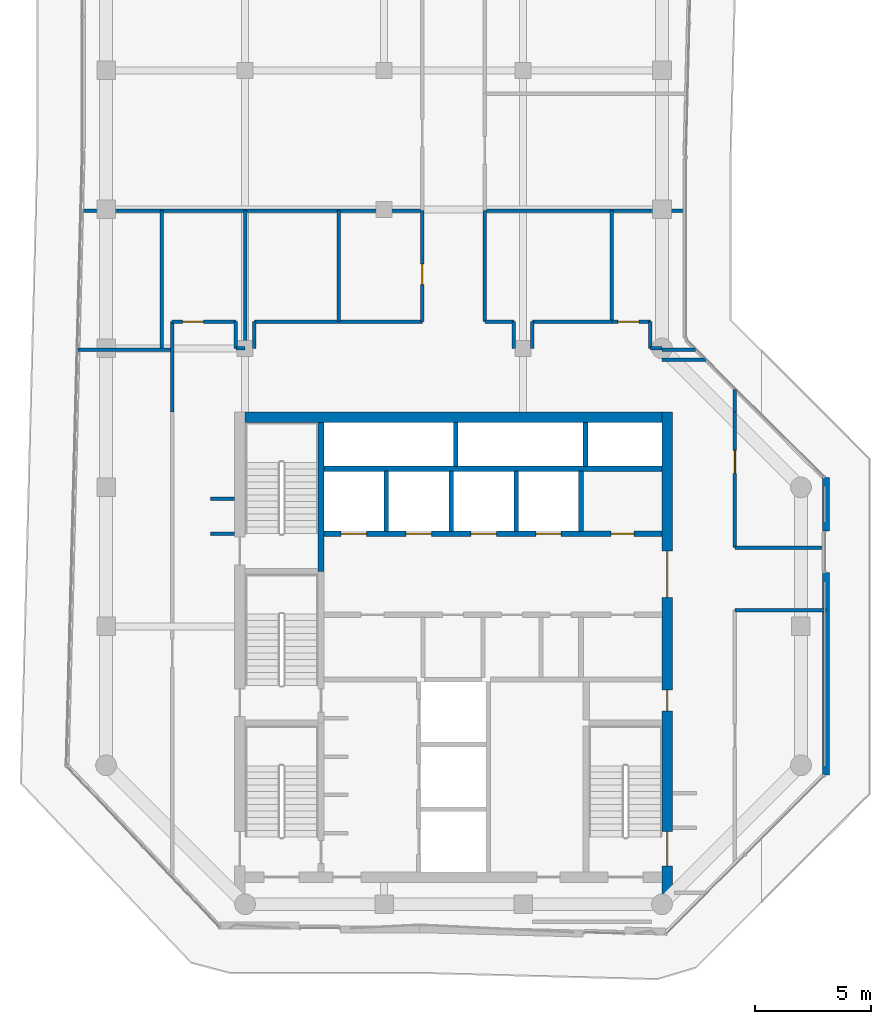
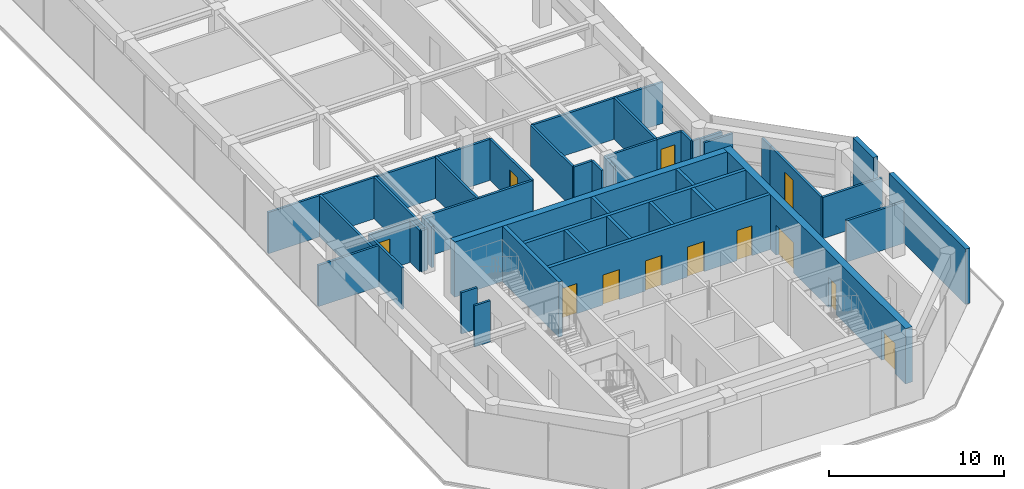
# One storey, part 16 of 19: 43 walls, 12 doors, 12 openings.
"""IFC4 building model written with IfcOpenShell, lengths in metres."""

from ifc_helpers import new_model, si_unit, direction, frame, frame_2d, origin, place, context, subcontext, project, spatial, rectangle, extrude, material, layer, layer_set, type_object, element, fill, save


model = new_model("IFC4")

# Units and contexts
model_context = context("Model", 3, precision=1e-05, world=origin(), true_north=direction((0.0, 1.0)))
body_context = subcontext(model_context, "Body", "Model", "MODEL_VIEW")
ifc_project = project(units=[si_unit("LENGTHUNIT", "METRE"), si_unit("AREAUNIT", "SQUARE_METRE"), si_unit("VOLUMEUNIT", "CUBIC_METRE"), si_unit("PLANEANGLEUNIT", "RADIAN"), si_unit("MASSUNIT", "GRAM", prefix="KILO")], contexts=[model_context])

# Site, building, storey
site_placement = place(None, origin())
site = spatial("IfcSite", under=ifc_project, at=site_placement, CompositionType="ELEMENT")
building_placement = place(site_placement, origin())
building = spatial("IfcBuilding", under=site, at=building_placement, Name="Welwitschia Terrace Campus", CompositionType="ELEMENT")
storey_placement = place(building_placement, frame((0.0, 0.0, 234.800048828125)))
storey = spatial("IfcBuildingStorey", under=building, at=storey_placement, Name="L52", CompositionType="ELEMENT", Elevation=234.800048828125)

# Wall, openings, doors
ifc_material_1 = material(Name="Concrete C32/40", Category="concrete")
ifc_layer_1 = layer(ifc_material_1, 0.22509765625)
ifc_layer_set_1 = layer_set([ifc_layer_1], Name="Concrete C32/40")
wall_type_1 = type_object("IfcWallType", Name="Core partition 225 Concrete C32/40", PredefinedType="PARTITIONING", material=ifc_layer_set_1)
wall_1_placement = place(storey_placement, frame((24.0, 20.0, 0.0), z_axis=(0.0, 0.0, 1.0), x_axis=(-1.0, 0.0, 0.0)))
wall_1 = element("IfcWall", 1, at=wall_1_placement, inside=storey, type_object=wall_type_1, Name="Shaft wall", PredefinedType="PARTITIONING", context=body_context, shape_type="SweptSolid", body=[
    extrude(rectangle(XDim=14.60009765625, YDim=0.22509765625, at=frame_2d((7.300048828125, 0.0))), origin(), (0.0, 0.0, 1.0), 3.849853515625),
])
opening_1_placement = place(wall_1_placement, frame((12.75, 0.0, 0.0)))
opening_1 = element("IfcOpeningElement", 2, at=opening_1_placement, cuts=wall_1, Name="Opening LD", PredefinedType="OPENING", context=body_context, shape_type="SweptSolid", body=[
    extrude(rectangle(XDim=1.10009765625, YDim=2.10009765625, at=frame_2d((0.550048828125, 1.050048828125))), frame((0.0, 0.12255859375, 0.0), z_axis=(0.0, -1.0, 0.0), x_axis=(1.0, 0.0, 0.0)), (0.0, 0.0, 1.0), 0.2451171875),
])
opening_2_placement = place(wall_1_placement, frame((9.949951171875, 0.0, 0.0)))
opening_2 = element("IfcOpeningElement", 3, at=opening_2_placement, cuts=wall_1, Name="Opening LD", PredefinedType="OPENING", context=body_context, shape_type="SweptSolid", body=[
    extrude(rectangle(XDim=1.10009765625, YDim=2.10009765625, at=frame_2d((0.550048828125, 1.050048828125))), frame((0.0, 0.12255859375, 0.0), z_axis=(0.0, -1.0, 0.0), x_axis=(1.0, 0.0, 0.0)), (0.0, 0.0, 1.0), 0.2451171875),
])
opening_3_placement = place(wall_1_placement, frame((7.14990234375, 0.0, 0.0)))
opening_3 = element("IfcOpeningElement", 4, at=opening_3_placement, cuts=wall_1, Name="Opening LD", PredefinedType="OPENING", context=body_context, shape_type="SweptSolid", body=[
    extrude(rectangle(XDim=1.10009765625, YDim=2.10009765625, at=frame_2d((0.550048828125, 1.050048828125))), frame((0.0, 0.12255859375, 0.0), z_axis=(0.0, -1.0, 0.0), x_axis=(1.0, 0.0, 0.0)), (0.0, 0.0, 1.0), 0.2451171875),
])
opening_4_placement = place(wall_1_placement, frame((4.35009765625, 0.0, 0.0)))
opening_4 = element("IfcOpeningElement", 5, at=opening_4_placement, cuts=wall_1, Name="Opening LD", PredefinedType="OPENING", context=body_context, shape_type="SweptSolid", body=[
    extrude(rectangle(XDim=1.10009765625, YDim=2.10009765625, at=frame_2d((0.550048828125, 1.050048828125))), frame((0.0, 0.12255859375, 0.0), z_axis=(0.0, -1.0, 0.0), x_axis=(1.0, 0.0, 0.0)), (0.0, 0.0, 1.0), 0.2451171875),
])
opening_5_placement = place(wall_1_placement, frame((1.199951171875, 0.0, 0.0)))
opening_5 = element("IfcOpeningElement", 6, at=opening_5_placement, cuts=wall_1, Name="Opening DR10", PredefinedType="OPENING", context=body_context, shape_type="SweptSolid", body=[
    extrude(rectangle(XDim=1.0, YDim=2.10009765625, at=frame_2d((0.5, 1.050048828125))), frame((0.0, 0.12255859375, 0.0), z_axis=(0.0, -1.0, 0.0), x_axis=(1.0, 0.0, 0.0)), (0.0, 0.0, 1.0), 0.2451171875),
])
ifc_material_2 = material(Name="Steel S275", Category="steel")
door_type_1 = type_object("IfcDoorType", Name="Core door DR10", OperationType="SINGLE_SWING_LEFT", PredefinedType="DOOR", material=ifc_material_2)
door_1_placement = place(opening_5_placement, origin())
door_1 = element("IfcDoor", 7, at=door_1_placement, inside=storey, type_object=door_type_1, Name="Door EH-D", OperationType="SINGLE_SWING_LEFT", OverallHeight=2.10009765625, OverallWidth=1.0, PredefinedType="DOOR", context=body_context, shape_type="SweptSolid", body=[
    extrude(rectangle(XDim=1.0, YDim=2.10009765625, at=frame_2d((0.5, 1.050048828125))), frame((0.0, 0.02490234375, 0.0), z_axis=(0.0, -1.0, 0.0), x_axis=(1.0, 0.0, 0.0)), (0.0, 0.0, 1.0), 0.050048828125),
])
fill(opening_5, door_1)
ifc_material_3 = material(Name="Stainless steel 304", Category="steel")
door_type_2 = type_object("IfcDoorType", Name="Lift landing door", OperationType="DOUBLE_DOOR_SLIDING", PredefinedType="DOOR", material=ifc_material_3)
door_2_placement = place(opening_1_placement, origin())
door_2 = element("IfcDoor", 8, at=door_2_placement, inside=storey, type_object=door_type_2, Name="Landing door HR1", OperationType="DOUBLE_DOOR_SLIDING", OverallHeight=2.10009765625, OverallWidth=1.10009765625, PredefinedType="DOOR", context=body_context, shape_type="SweptSolid", body=[
    extrude(rectangle(XDim=1.10009765625, YDim=2.10009765625, at=frame_2d((0.550048828125, 1.050048828125))), frame((0.0, 0.02490234375, 0.0), z_axis=(0.0, -1.0, 0.0), x_axis=(1.0, 0.0, 0.0)), (0.0, 0.0, 1.0), 0.050048828125),
])
fill(opening_1, door_2)
door_3_placement = place(opening_2_placement, origin())
door_3 = element("IfcDoor", 9, at=door_3_placement, inside=storey, type_object=door_type_2, Name="Landing door HR2", OperationType="DOUBLE_DOOR_SLIDING", OverallHeight=2.10009765625, OverallWidth=1.10009765625, PredefinedType="DOOR", context=body_context, shape_type="SweptSolid", body=[
    extrude(rectangle(XDim=1.10009765625, YDim=2.10009765625, at=frame_2d((0.550048828125, 1.050048828125))), frame((0.0, 0.02490234375, 0.0), z_axis=(0.0, -1.0, 0.0), x_axis=(1.0, 0.0, 0.0)), (0.0, 0.0, 1.0), 0.050048828125),
])
fill(opening_2, door_3)
door_4_placement = place(opening_3_placement, origin())
door_4 = element("IfcDoor", 10, at=door_4_placement, inside=storey, type_object=door_type_2, Name="Landing door HR3", OperationType="DOUBLE_DOOR_SLIDING", OverallHeight=2.10009765625, OverallWidth=1.10009765625, PredefinedType="DOOR", context=body_context, shape_type="SweptSolid", body=[
    extrude(rectangle(XDim=1.10009765625, YDim=2.10009765625, at=frame_2d((0.550048828125, 1.050048828125))), frame((0.0, 0.02490234375, 0.0), z_axis=(0.0, -1.0, 0.0), x_axis=(1.0, 0.0, 0.0)), (0.0, 0.0, 1.0), 0.050048828125),
])
fill(opening_3, door_4)
door_5_placement = place(opening_4_placement, origin())
door_5 = element("IfcDoor", 11, at=door_5_placement, inside=storey, type_object=door_type_2, Name="Landing door HR4", OperationType="DOUBLE_DOOR_SLIDING", OverallHeight=2.10009765625, OverallWidth=1.10009765625, PredefinedType="DOOR", context=body_context, shape_type="SweptSolid", body=[
    extrude(rectangle(XDim=1.10009765625, YDim=2.10009765625, at=frame_2d((0.550048828125, 1.050048828125))), frame((0.0, 0.02490234375, 0.0), z_axis=(0.0, -1.0, 0.0), x_axis=(1.0, 0.0, 0.0)), (0.0, 0.0, 1.0), 0.050048828125),
])
fill(opening_4, door_5)

# Walls
wall_2_placement = place(storey_placement, frame((9.39990234375, 22.800048828125, 0.0), z_axis=(0.0, 0.0, 1.0), x_axis=(1.0, 0.0, 0.0)))
element("IfcWall", 12, at=wall_2_placement, inside=storey, type_object=wall_type_1, Name="Shaft wall", PredefinedType="PARTITIONING", context=body_context, shape_type="SweptSolid", body=[
    extrude(rectangle(XDim=14.60009765625, YDim=0.22509765625, at=frame_2d((7.300048828125, 0.0))), origin(), (0.0, 0.0, 1.0), 3.849853515625),
])
wall_3_placement = place(storey_placement, frame((20.5, 20.10009765625, 0.0), z_axis=(0.0, 0.0, 1.0), x_axis=(0.0, 1.0, 0.0)))
element("IfcWall", 13, at=wall_3_placement, inside=storey, type_object=wall_type_1, Name="Shaft wall", PredefinedType="PARTITIONING", context=body_context, shape_type="SweptSolid", body=[
    extrude(rectangle(XDim=2.599853515625, YDim=0.22509765625, at=frame_2d((1.2998046875, 0.0))), origin(), (0.0, 0.0, 1.0), 3.849853515625),
])
ifc_material_4 = material(Name="Concrete C50/60", Category="concrete")
ifc_layer_2 = layer(ifc_material_4, 0.199951171875)
ifc_layer_set_2 = layer_set([ifc_layer_2], Name="Concrete C50/60")
wall_type_2 = type_object("IfcWallType", Name="Core wall 200 Concrete C50/60", PredefinedType="SHEAR", material=ifc_layer_set_2)
for number, where, z_axis, x_axis, name in (
    (14, (15.10009765625, 22.89990234375, 0.0), (0.0, 0.0, 1.0), (0.0, 1.0, 0.0), "Core wall"),
    (15, (20.699951171875, 22.89990234375, 0.0), (0.0, 0.0, 1.0), (0.0, 1.0, 0.0), "Core wall"),
):
    element("IfcWall", number, at=place(storey_placement, frame(where, z_axis=z_axis, x_axis=x_axis)), inside=storey, type_object=wall_type_2, Name=name, PredefinedType="SHEAR", context=body_context, shape_type="SweptSolid", body=[
        extrude(rectangle(XDim=1.900146484375, YDim=0.199951171875, at=frame_2d((0.9501953125, 0.0))), origin(), (0.0, 0.0, 1.0), 3.849853515625),
    ])
ifc_material_5 = material(Name="Concrete C50/60", Category="concrete")
ifc_layer_3 = layer(ifc_material_5, 0.25)
ifc_layer_set_3 = layer_set([ifc_layer_3], Name="Concrete C50/60")
wall_type_3 = type_object("IfcWallType", Name="Core wall 250 Concrete C50/60", PredefinedType="SHEAR", material=ifc_layer_set_3)
wall_4_placement = place(storey_placement, frame((9.27490234375, 18.375, 0.0), z_axis=(0.0, 0.0, 1.0), x_axis=(0.0, 1.0, 0.0)))
element("IfcWall", 16, at=wall_4_placement, inside=storey, type_object=wall_type_3, Name="Core wall", PredefinedType="SHEAR", context=body_context, shape_type="SweptSolid", body=[
    extrude(rectangle(XDim=6.425048828125, YDim=0.25, at=frame_2d((3.21240234375, 0.0))), origin(), (0.0, 0.0, 1.0), 3.849853515625),
])

# Wall, openings, doors
ifc_material_6 = material(Name="Concrete C60/75", Category="concrete")
ifc_layer_4 = layer(ifc_material_6, 0.449951171875)
ifc_layer_set_4 = layer_set([ifc_layer_4], Name="Concrete C60/75")
wall_type_4 = type_object("IfcWallType", Name="Core wall 450 Concrete C60/75", PredefinedType="SHEAR", material=ifc_layer_set_4)
wall_5_placement = place(storey_placement, frame((24.22509765625, 25.25, 0.0), z_axis=(0.0, 0.0, 1.0), x_axis=(0.0, -1.0, 0.0)))
wall_5 = element("IfcWall", 17, at=wall_5_placement, inside=storey, type_object=wall_type_4, Name="Core outer wall", PredefinedType="SHEAR", context=body_context, shape_type="SweptSolid", body=[
    extrude(rectangle(XDim=20.830078125, YDim=0.449951171875, at=frame_2d((10.4150390625, 0.0))), origin(), (0.0, 0.0, 1.0), 3.849853515625),
])
opening_6_placement = place(wall_5_placement, frame((18.10009765625, 0.0, 0.0)))
opening_6 = element("IfcOpeningElement", 18, at=opening_6_placement, cuts=wall_5, Name="Opening DS15", PredefinedType="OPENING", context=body_context, shape_type="SweptSolid", body=[
    extrude(rectangle(XDim=1.5, YDim=2.10009765625, at=frame_2d((0.75, 1.050048828125))), frame((0.0, 0.23486328125, 0.0), z_axis=(0.0, -1.0, 0.0), x_axis=(1.0, 0.0, 0.0)), (0.0, 0.0, 1.0), 0.469970703125),
])
opening_7_placement = place(wall_5_placement, frame((12.0, 0.0, 0.0)))
opening_7 = element("IfcOpeningElement", 19, at=opening_7_placement, cuts=wall_5, Name="Opening DR09", PredefinedType="OPENING", context=body_context, shape_type="SweptSolid", body=[
    extrude(rectangle(XDim=0.89990234375, YDim=2.10009765625, at=frame_2d((0.449951171875, 1.050048828125))), frame((0.0, 0.23486328125, 0.0), z_axis=(0.0, -1.0, 0.0), x_axis=(1.0, 0.0, 0.0)), (0.0, 0.0, 1.0), 0.469970703125),
])
opening_8_placement = place(wall_5_placement, frame((6.0, 0.0, 0.0)))
opening_8 = element("IfcOpeningElement", 20, at=opening_8_placement, cuts=wall_5, Name="Opening DL20", PredefinedType="OPENING", context=body_context, shape_type="SweptSolid", body=[
    extrude(rectangle(XDim=2.0, YDim=2.10009765625, at=frame_2d((1.0, 1.050048828125))), frame((0.0, 0.23486328125, 0.0), z_axis=(0.0, -1.0, 0.0), x_axis=(1.0, 0.0, 0.0)), (0.0, 0.0, 1.0), 0.469970703125),
])
ifc_material_7 = material(Name="Steel S275", Category="steel")
door_type_3 = type_object("IfcDoorType", Name="Core door DL20", OperationType="DOUBLE_DOOR_SINGLE_SWING", PredefinedType="DOOR", material=ifc_material_7)
door_6_placement = place(opening_8_placement, origin())
door_6 = element("IfcDoor", 21, at=door_6_placement, inside=storey, type_object=door_type_3, Name="Door LOBBY-out", OperationType="DOUBLE_DOOR_SINGLE_SWING", OverallHeight=2.10009765625, OverallWidth=2.0, PredefinedType="DOOR", context=body_context, shape_type="SweptSolid", body=[
    extrude(rectangle(XDim=2.0, YDim=2.10009765625, at=frame_2d((1.0, 1.050048828125))), frame((0.0, 0.02490234375, 0.0), z_axis=(0.0, -1.0, 0.0), x_axis=(1.0, 0.0, 0.0)), (0.0, 0.0, 1.0), 0.050048828125),
])
fill(opening_8, door_6)
ifc_material_8 = material(Name="Steel S275", Category="steel")
door_type_4 = type_object("IfcDoorType", Name="Core door DR09", OperationType="SINGLE_SWING_LEFT", PredefinedType="DOOR", material=ifc_material_8)
door_7_placement = place(opening_7_placement, origin())
door_7 = element("IfcDoor", 22, at=door_7_placement, inside=storey, type_object=door_type_4, Name="Door F1B-out", OperationType="SINGLE_SWING_RIGHT", OverallHeight=2.10009765625, OverallWidth=0.89990234375, PredefinedType="DOOR", context=body_context, shape_type="SweptSolid", body=[
    extrude(rectangle(XDim=0.89990234375, YDim=2.10009765625, at=frame_2d((0.449951171875, 1.050048828125))), frame((0.0, 0.02490234375, 0.0), z_axis=(0.0, -1.0, 0.0), x_axis=(1.0, 0.0, 0.0)), (0.0, 0.0, 1.0), 0.050048828125),
])
fill(opening_7, door_7)
ifc_material_9 = material(Name="Steel S275", Category="steel")
door_type_5 = type_object("IfcDoorType", Name="Core door DS15", OperationType="DOUBLE_DOOR_SINGLE_SWING", PredefinedType="DOOR", material=ifc_material_9)
door_8_placement = place(opening_6_placement, origin())
door_8 = element("IfcDoor", 23, at=door_8_placement, inside=storey, type_object=door_type_5, Name="Door S2-out", OperationType="DOUBLE_DOOR_SINGLE_SWING", OverallHeight=2.10009765625, OverallWidth=1.5, PredefinedType="DOOR", context=body_context, shape_type="SweptSolid", body=[
    extrude(rectangle(XDim=1.5, YDim=2.10009765625, at=frame_2d((0.75, 1.050048828125))), frame((0.0, 0.02490234375, 0.0), z_axis=(0.0, -1.0, 0.0), x_axis=(1.0, 0.0, 0.0)), (0.0, 0.0, 1.0), 0.050048828125),
])
fill(opening_6, door_8)

# Walls
wall_6_placement = place(storey_placement, frame((6.0, 25.02490234375, 0.0), z_axis=(0.0, 0.0, 1.0), x_axis=(1.0, 0.0, 0.0)))
element("IfcWall", 24, at=wall_6_placement, inside=storey, type_object=wall_type_4, Name="Core outer wall", PredefinedType="SHEAR", context=body_context, shape_type="SweptSolid", body=[
    extrude(rectangle(XDim=18.0, YDim=0.449951171875, at=frame_2d((9.0, 0.0))), origin(), (0.0, 0.0, 1.0), 3.849853515625),
])
ifc_material_10 = material(Name="Gypsum board on steel studs", Category="steel")
ifc_layer_5 = layer(ifc_material_10, 0.14990234375)
ifc_layer_set_5 = layer_set([ifc_layer_5], Name="Gypsum board on steel studs")
wall_type_5 = type_object("IfcWallType", Name="Corridor partition 150 EI 30", PredefinedType="PARTITIONING", material=ifc_layer_set_5)
wall_7_placement = place(storey_placement, frame((-1.2099609375, 27.949951171875, 0.0), z_axis=(0.0, 0.0, 1.0), x_axis=(1.0, 0.0, 0.0)))
element("IfcWall", 25, at=wall_7_placement, inside=storey, type_object=wall_type_5, Name="Partition", PredefinedType="PARTITIONING", context=body_context, shape_type="SweptSolid", body=[
    extrude(rectangle(XDim=4.06005859375, YDim=0.14990234375, at=frame_2d((2.030029296875, 0.0))), origin(), (0.0, 0.0, 1.0), 2.8798828125),
])
wall_8_placement = place(storey_placement, frame((-1.050048828125, 33.949951171875, 0.0), z_axis=(0.0, 0.0, 1.0), x_axis=(1.0, 0.0, 0.0)))
element("IfcWall", 26, at=wall_8_placement, inside=storey, type_object=wall_type_5, Name="Partition", PredefinedType="PARTITIONING", context=body_context, shape_type="SweptSolid", body=[
    extrude(rectangle(XDim=14.699951171875, YDim=0.14990234375, at=frame_2d((7.35009765625, 0.0))), origin(), (0.0, 0.0, 1.0), 2.8798828125),
])
wall_9_placement = place(storey_placement, frame((2.39990234375, 27.949951171875, 0.0), z_axis=(0.0, 0.0, 1.0), x_axis=(0.0, 1.0, 0.0)))
element("IfcWall", 27, at=wall_9_placement, inside=storey, type_object=wall_type_5, Name="Partition", PredefinedType="PARTITIONING", context=body_context, shape_type="SweptSolid", body=[
    extrude(rectangle(XDim=6.0, YDim=0.14990234375, at=frame_2d((3.0, 0.0))), origin(), (0.0, 0.0, 1.0), 2.8798828125),
])
wall_10_placement = place(storey_placement, frame((2.85009765625, 25.25, 0.0), z_axis=(0.0, 0.0, 1.0), x_axis=(0.0, 1.0, 0.0)))
element("IfcWall", 28, at=wall_10_placement, inside=storey, type_object=wall_type_5, Name="Partition", PredefinedType="PARTITIONING", context=body_context, shape_type="SweptSolid", body=[
    extrude(rectangle(XDim=3.89990234375, YDim=0.14990234375, at=frame_2d((1.949951171875, 0.0))), origin(), (0.0, 0.0, 1.0), 2.8798828125),
])

# Wall, opening, door
wall_11_placement = place(storey_placement, frame((2.85009765625, 29.14990234375, 0.0), z_axis=(0.0, 0.0, 1.0), x_axis=(1.0, 0.0, 0.0)))
wall_11 = element("IfcWall", 29, at=wall_11_placement, inside=storey, type_object=wall_type_5, Name="Partition", PredefinedType="PARTITIONING", context=body_context, shape_type="SweptSolid", body=[
    extrude(rectangle(XDim=2.75, YDim=0.14990234375, at=frame_2d((1.375, 0.0))), origin(), (0.0, 0.0, 1.0), 2.8798828125),
])
opening_9_placement = place(wall_11_placement, frame((0.449951171875, 0.0, 0.0)))
opening_9 = element("IfcOpeningElement", 30, at=opening_9_placement, cuts=wall_11, Name="Opening DI09", PredefinedType="OPENING", context=body_context, shape_type="SweptSolid", body=[
    extrude(rectangle(XDim=0.89990234375, YDim=2.10009765625, at=frame_2d((0.449951171875, 1.050048828125))), frame((0.0, 0.0849609375, 0.0), z_axis=(0.0, -1.0, 0.0), x_axis=(1.0, 0.0, 0.0)), (0.0, 0.0, 1.0), 0.169921875),
])
ifc_material_11 = material(Name="Timber veneered door", Category="wood")
door_type_6 = type_object("IfcDoorType", Name="Interior door DI09", OperationType="NOTDEFINED", PredefinedType="DOOR", material=ifc_material_11)
door_9_placement = place(opening_9_placement, origin())
door_9 = element("IfcDoor", 31, at=door_9_placement, inside=storey, type_object=door_type_6, Name="Door L52 962", OperationType="SINGLE_SWING_LEFT", OverallHeight=2.10009765625, OverallWidth=0.89990234375, PredefinedType="DOOR", context=body_context, shape_type="SweptSolid", body=[
    extrude(rectangle(XDim=0.89990234375, YDim=2.10009765625, at=frame_2d((0.449951171875, 1.050048828125))), frame((0.0, 0.02490234375, 0.0), z_axis=(0.0, -1.0, 0.0), x_axis=(1.0, 0.0, 0.0)), (0.0, 0.0, 1.0), 0.050048828125),
])
fill(opening_9, door_9)

# Walls
for number, where, z_axis, x_axis, name in (
    (32, (4.5, 20.0, 0.0), (0.0, 0.0, 1.0), (1.0, 0.0, 0.0), "Partition"),
    (33, (4.5, 21.5, 0.0), (0.0, 0.0, 1.0), (1.0, 0.0, 0.0), "Partition"),
):
    element("IfcWall", number, at=place(storey_placement, frame(where, z_axis=z_axis, x_axis=x_axis)), inside=storey, type_object=wall_type_5, Name=name, PredefinedType="PARTITIONING", context=body_context, shape_type="SweptSolid", body=[
        extrude(rectangle(XDim=1.050048828125, YDim=0.14990234375, at=frame_2d((0.52490234375, 0.0))), origin(), (0.0, 0.0, 1.0), 2.8798828125),
    ])
wall_12_placement = place(storey_placement, frame((5.60009765625, 28.0, 0.0), z_axis=(0.0, 0.0, 1.0), x_axis=(0.0, 1.0, 0.0)))
element("IfcWall", 34, at=wall_12_placement, inside=storey, type_object=wall_type_5, Name="Partition", PredefinedType="PARTITIONING", context=body_context, shape_type="SweptSolid", body=[
    extrude(rectangle(XDim=1.14990234375, YDim=0.14990234375, at=frame_2d((0.574951171875, 0.0))), origin(), (0.0, 0.0, 1.0), 2.8798828125),
])
wall_13_placement = place(storey_placement, frame((5.60009765625, 28.0, 0.0), z_axis=(0.0, 0.0, 1.0), x_axis=(1.0, 0.0, 0.0)))
element("IfcWall", 35, at=wall_13_placement, inside=storey, type_object=wall_type_5, Name="Partition", PredefinedType="PARTITIONING", context=body_context, shape_type="SweptSolid", body=[
    extrude(rectangle(XDim=0.39990234375, YDim=0.14990234375, at=frame_2d((0.199951171875, 0.0))), origin(), (0.0, 0.0, 1.0), 2.8798828125),
])
wall_14_placement = place(storey_placement, frame((6.0, 28.0, 0.0), z_axis=(0.0, 0.0, 1.0), x_axis=(0.0, 1.0, 0.0)))
element("IfcWall", 36, at=wall_14_placement, inside=storey, type_object=wall_type_5, Name="Partition", PredefinedType="PARTITIONING", context=body_context, shape_type="SweptSolid", body=[
    extrude(rectangle(XDim=5.949951171875, YDim=0.14990234375, at=frame_2d((2.97509765625, 0.0))), origin(), (0.0, 0.0, 1.0), 2.8798828125),
])
wall_15_placement = place(storey_placement, frame((6.39990234375, 28.0, 0.0), z_axis=(0.0, 0.0, 1.0), x_axis=(0.0, 1.0, 0.0)))
element("IfcWall", 37, at=wall_15_placement, inside=storey, type_object=wall_type_5, Name="Partition", PredefinedType="PARTITIONING", context=body_context, shape_type="SweptSolid", body=[
    extrude(rectangle(XDim=1.14990234375, YDim=0.14990234375, at=frame_2d((0.574951171875, 0.0))), origin(), (0.0, 0.0, 1.0), 2.8798828125),
])
wall_16_placement = place(storey_placement, frame((6.39990234375, 29.14990234375, 0.0), z_axis=(0.0, 0.0, 1.0), x_axis=(1.0, 0.0, 0.0)))
element("IfcWall", 38, at=wall_16_placement, inside=storey, type_object=wall_type_5, Name="Partition", PredefinedType="PARTITIONING", context=body_context, shape_type="SweptSolid", body=[
    extrude(rectangle(XDim=7.25, YDim=0.14990234375, at=frame_2d((3.625, 0.0))), origin(), (0.0, 0.0, 1.0), 2.8798828125),
])
wall_17_placement = place(storey_placement, frame((10.050048828125, 29.14990234375, 0.0), z_axis=(0.0, 0.0, 1.0), x_axis=(0.0, 1.0, 0.0)))
element("IfcWall", 39, at=wall_17_placement, inside=storey, type_object=wall_type_5, Name="Partition", PredefinedType="PARTITIONING", context=body_context, shape_type="SweptSolid", body=[
    extrude(rectangle(XDim=4.800048828125, YDim=0.14990234375, at=frame_2d((2.39990234375, 0.0))), origin(), (0.0, 0.0, 1.0), 2.8798828125),
])

# Wall, opening, door
wall_18_placement = place(storey_placement, frame((13.64990234375, 29.14990234375, 0.0), z_axis=(0.0, 0.0, 1.0), x_axis=(0.0, 1.0, 0.0)))
wall_18 = element("IfcWall", 40, at=wall_18_placement, inside=storey, type_object=wall_type_5, Name="Partition", PredefinedType="PARTITIONING", context=body_context, shape_type="SweptSolid", body=[
    extrude(rectangle(XDim=4.800048828125, YDim=0.14990234375, at=frame_2d((2.39990234375, 0.0))), origin(), (0.0, 0.0, 1.0), 2.8798828125),
])
opening_10_placement = place(wall_18_placement, frame((1.60009765625, 0.0, 0.0)))
opening_10 = element("IfcOpeningElement", 41, at=opening_10_placement, cuts=wall_18, Name="Opening DI09", PredefinedType="OPENING", context=body_context, shape_type="SweptSolid", body=[
    extrude(rectangle(XDim=0.89990234375, YDim=2.10009765625, at=frame_2d((0.449951171875, 1.050048828125))), frame((0.0, 0.0849609375, 0.0), z_axis=(0.0, -1.0, 0.0), x_axis=(1.0, 0.0, 0.0)), (0.0, 0.0, 1.0), 0.169921875),
])
door_10_placement = place(opening_10_placement, origin())
door_10 = element("IfcDoor", 42, at=door_10_placement, inside=storey, type_object=door_type_6, Name="Door L52 963", OperationType="SINGLE_SWING_RIGHT", OverallHeight=2.10009765625, OverallWidth=0.89990234375, PredefinedType="DOOR", context=body_context, shape_type="SweptSolid", body=[
    extrude(rectangle(XDim=0.89990234375, YDim=2.10009765625, at=frame_2d((0.449951171875, 1.050048828125))), frame((0.0, 0.02490234375, 0.0), z_axis=(0.0, -1.0, 0.0), x_axis=(1.0, 0.0, 0.0)), (0.0, 0.0, 1.0), 0.050048828125),
])
fill(opening_10, door_10)

# Walls
wall_19_placement = place(storey_placement, frame((16.35009765625, 29.14990234375, 0.0), z_axis=(0.0, 0.0, 1.0), x_axis=(0.0, 1.0, 0.0)))
element("IfcWall", 43, at=wall_19_placement, inside=storey, type_object=wall_type_5, Name="Partition", PredefinedType="PARTITIONING", context=body_context, shape_type="SweptSolid", body=[
    extrude(rectangle(XDim=4.800048828125, YDim=0.14990234375, at=frame_2d((2.39990234375, 0.0))), origin(), (0.0, 0.0, 1.0), 2.8798828125),
])
wall_20_placement = place(storey_placement, frame((16.35009765625, 29.14990234375, 0.0), z_axis=(0.0, 0.0, 1.0), x_axis=(1.0, 0.0, 0.0)))
element("IfcWall", 44, at=wall_20_placement, inside=storey, type_object=wall_type_5, Name="Partition", PredefinedType="PARTITIONING", context=body_context, shape_type="SweptSolid", body=[
    extrude(rectangle(XDim=1.25, YDim=0.14990234375, at=frame_2d((0.625, 0.0))), origin(), (0.0, 0.0, 1.0), 2.8798828125),
])
wall_21_placement = place(storey_placement, frame((16.35009765625, 33.949951171875, 0.0), z_axis=(0.0, 0.0, 1.0), x_axis=(1.0, 0.0, 0.0)))
element("IfcWall", 45, at=wall_21_placement, inside=storey, type_object=wall_type_5, Name="Partition", PredefinedType="PARTITIONING", context=body_context, shape_type="SweptSolid", body=[
    extrude(rectangle(XDim=8.6298828125, YDim=0.14990234375, at=frame_2d((4.31494140625, 0.0))), origin(), (0.0, 0.0, 1.0), 2.8798828125),
])
for number, where, z_axis, x_axis, name in (
    (46, (17.60009765625, 28.0, 0.0), (0.0, 0.0, 1.0), (0.0, 1.0, 0.0), "Partition"),
    (47, (18.39990234375, 28.0, 0.0), (0.0, 0.0, 1.0), (0.0, 1.0, 0.0), "Partition"),
):
    element("IfcWall", number, at=place(storey_placement, frame(where, z_axis=z_axis, x_axis=x_axis)), inside=storey, type_object=wall_type_5, Name=name, PredefinedType="PARTITIONING", context=body_context, shape_type="SweptSolid", body=[
        extrude(rectangle(XDim=1.14990234375, YDim=0.14990234375, at=frame_2d((0.574951171875, 0.0))), origin(), (0.0, 0.0, 1.0), 2.8798828125),
    ])
wall_22_placement = place(storey_placement, frame((18.39990234375, 29.14990234375, 0.0), z_axis=(0.0, 0.0, 1.0), x_axis=(1.0, 0.0, 0.0)))
element("IfcWall", 48, at=wall_22_placement, inside=storey, type_object=wall_type_5, Name="Partition", PredefinedType="PARTITIONING", context=body_context, shape_type="SweptSolid", body=[
    extrude(rectangle(XDim=3.440185546875, YDim=0.14990234375, at=frame_2d((1.72021484375, 0.0))), origin(), (0.0, 0.0, 1.0), 2.8798828125),
])
wall_23_placement = place(storey_placement, frame((21.840087890625, 29.14990234375, 0.0), z_axis=(0.0, 0.0, 1.0), x_axis=(0.0, 1.0, 0.0)))
element("IfcWall", 49, at=wall_23_placement, inside=storey, type_object=wall_type_5, Name="Partition", PredefinedType="PARTITIONING", context=body_context, shape_type="SweptSolid", body=[
    extrude(rectangle(XDim=4.800048828125, YDim=0.14990234375, at=frame_2d((2.39990234375, 0.0))), origin(), (0.0, 0.0, 1.0), 2.8798828125),
])

# Wall, opening, door
wall_24_placement = place(storey_placement, frame((21.840087890625, 29.14990234375, 0.0), z_axis=(0.0, 0.0, 1.0), x_axis=(1.0, 0.0, 0.0)))
wall_24 = element("IfcWall", 50, at=wall_24_placement, inside=storey, type_object=wall_type_5, Name="Partition", PredefinedType="PARTITIONING", context=body_context, shape_type="SweptSolid", body=[
    extrude(rectangle(XDim=1.659912109375, YDim=0.14990234375, at=frame_2d((0.830078125, 0.0))), origin(), (0.0, 0.0, 1.0), 2.8798828125),
])
opening_11_placement = place(wall_24_placement, frame((0.260009765625, 0.0, 0.0)))
opening_11 = element("IfcOpeningElement", 51, at=opening_11_placement, cuts=wall_24, Name="Opening DI09", PredefinedType="OPENING", context=body_context, shape_type="SweptSolid", body=[
    extrude(rectangle(XDim=0.89990234375, YDim=2.10009765625, at=frame_2d((0.449951171875, 1.050048828125))), frame((0.0, 0.0849609375, 0.0), z_axis=(0.0, -1.0, 0.0), x_axis=(1.0, 0.0, 0.0)), (0.0, 0.0, 1.0), 0.169921875),
])
door_11_placement = place(opening_11_placement, origin())
door_11 = element("IfcDoor", 52, at=door_11_placement, inside=storey, type_object=door_type_6, Name="Door L52 971", OperationType="SINGLE_SWING_RIGHT", OverallHeight=2.10009765625, OverallWidth=0.89990234375, PredefinedType="DOOR", context=body_context, shape_type="SweptSolid", body=[
    extrude(rectangle(XDim=0.89990234375, YDim=2.10009765625, at=frame_2d((0.449951171875, 1.050048828125))), frame((0.0, 0.02490234375, 0.0), z_axis=(0.0, -1.0, 0.0), x_axis=(1.0, 0.0, 0.0)), (0.0, 0.0, 1.0), 0.050048828125),
])
fill(opening_11, door_11)

# Walls
wall_25_placement = place(storey_placement, frame((23.5, 28.0, 0.0), z_axis=(0.0, 0.0, 1.0), x_axis=(0.0, 1.0, 0.0)))
element("IfcWall", 53, at=wall_25_placement, inside=storey, type_object=wall_type_5, Name="Partition", PredefinedType="PARTITIONING", context=body_context, shape_type="SweptSolid", body=[
    extrude(rectangle(XDim=1.14990234375, YDim=0.14990234375, at=frame_2d((0.574951171875, 0.0))), origin(), (0.0, 0.0, 1.0), 2.8798828125),
])
wall_26_placement = place(storey_placement, frame((23.5, 28.0, 0.0), z_axis=(0.0, 0.0, 1.0), x_axis=(1.0, 0.0, 0.0)))
element("IfcWall", 54, at=wall_26_placement, inside=storey, type_object=wall_type_5, Name="Partition", PredefinedType="PARTITIONING", context=body_context, shape_type="SweptSolid", body=[
    extrude(rectangle(XDim=0.5, YDim=0.14990234375, at=frame_2d((0.25, 0.0))), origin(), (0.0, 0.0, 1.0), 2.8798828125),
])
wall_27_placement = place(storey_placement, frame((24.0, 27.5, 0.0), z_axis=(0.0, 0.0, 1.0), x_axis=(1.0, 0.0, 0.0)))
element("IfcWall", 55, at=wall_27_placement, inside=storey, type_object=wall_type_5, Name="Partition", PredefinedType="PARTITIONING", context=body_context, shape_type="SweptSolid", body=[
    extrude(rectangle(XDim=1.889892578125, YDim=0.14990234375, at=frame_2d((0.94482421875, 0.0))), origin(), (0.0, 0.0, 1.0), 2.8798828125),
])
wall_28_placement = place(storey_placement, frame((24.0, 27.949951171875, 0.0), z_axis=(0.0, 0.0, 1.0), x_axis=(1.0, 0.0, 0.0)))
element("IfcWall", 56, at=wall_28_placement, inside=storey, type_object=wall_type_5, Name="Partition", PredefinedType="PARTITIONING", context=body_context, shape_type="SweptSolid", body=[
    extrude(rectangle(XDim=1.43994140625, YDim=0.14990234375, at=frame_2d((0.719970703125, 0.0))), origin(), (0.0, 0.0, 1.0), 2.8798828125),
])
for number, where, z_axis, x_axis, name in (
    (57, (27.14990234375, 16.699951171875, 0.0), (0.0, 0.0, 1.0), (1.0, 0.0, 0.0), "Partition"),
    (58, (27.14990234375, 19.39990234375, 0.0), (0.0, 0.0, 1.0), (1.0, 0.0, 0.0), "Partition"),
):
    element("IfcWall", number, at=place(storey_placement, frame(where, z_axis=z_axis, x_axis=x_axis)), inside=storey, type_object=wall_type_5, Name=name, PredefinedType="PARTITIONING", context=body_context, shape_type="SweptSolid", body=[
        extrude(rectangle(XDim=3.940185546875, YDim=0.14990234375, at=frame_2d((1.97021484375, 0.0))), origin(), (0.0, 0.0, 1.0), 2.8798828125),
    ])

# Wall, opening, door
wall_29_placement = place(storey_placement, frame((27.14990234375, 25.25, 0.0), z_axis=(0.0, 0.0, 1.0), x_axis=(0.0, -1.0, 0.0)))
wall_29 = element("IfcWall", 59, at=wall_29_placement, inside=storey, type_object=wall_type_5, Name="Partition", PredefinedType="PARTITIONING", context=body_context, shape_type="SweptSolid", body=[
    extrude(rectangle(XDim=5.85009765625, YDim=0.14990234375, at=frame_2d((2.925048828125, 0.0))), origin(), (0.0, 0.0, 1.0), 2.8798828125),
])
opening_12_placement = place(wall_29_placement, frame((1.64990234375, 0.0, 0.0)))
opening_12 = element("IfcOpeningElement", 60, at=opening_12_placement, cuts=wall_29, Name="Opening DI10", PredefinedType="OPENING", context=body_context, shape_type="SweptSolid", body=[
    extrude(rectangle(XDim=1.0, YDim=2.10009765625, at=frame_2d((0.5, 1.050048828125))), frame((0.0, 0.0849609375, 0.0), z_axis=(0.0, -1.0, 0.0), x_axis=(1.0, 0.0, 0.0)), (0.0, 0.0, 1.0), 0.169921875),
])
ifc_material_12 = material(Name="Timber veneered door", Category="wood")
door_type_7 = type_object("IfcDoorType", Name="Interior door DI10", OperationType="NOTDEFINED", PredefinedType="DOOR", material=ifc_material_12)
door_12_placement = place(opening_12_placement, origin())
door_12 = element("IfcDoor", 61, at=door_12_placement, inside=storey, type_object=door_type_7, Name="Door L52 973", OperationType="SINGLE_SWING_RIGHT", OverallHeight=2.10009765625, OverallWidth=1.0, PredefinedType="DOOR", context=body_context, shape_type="SweptSolid", body=[
    extrude(rectangle(XDim=1.0, YDim=2.10009765625, at=frame_2d((0.5, 1.050048828125))), frame((0.0, 0.02490234375, 0.0), z_axis=(0.0, -1.0, 0.0), x_axis=(1.0, 0.0, 0.0)), (0.0, 0.0, 1.0), 0.050048828125),
])
fill(opening_12, door_12)

# Walls
wall_30_placement = place(storey_placement, frame((27.14990234375, 25.25, 0.0), z_axis=(0.0, 0.0, 1.0), x_axis=(0.0, 1.0, 0.0)))
element("IfcWall", 62, at=wall_30_placement, inside=storey, type_object=wall_type_5, Name="Partition", PredefinedType="PARTITIONING", context=body_context, shape_type="SweptSolid", body=[
    extrude(rectangle(XDim=0.97998046875, YDim=0.14990234375, at=frame_2d((0.489990234375, 0.0))), origin(), (0.0, 0.0, 1.0), 2.8798828125),
])
ifc_material_13 = material(Name="Concrete C40/50", Category="concrete")
ifc_layer_6 = layer(ifc_material_13, 0.300048828125)
ifc_layer_set_6 = layer_set([ifc_layer_6], Name="Concrete C40/50")
wall_type_6 = type_object("IfcWallType", Name="Mass wall 300", PredefinedType="SOLIDWALL", material=ifc_layer_set_6)
wall_31_placement = place(storey_placement, frame((31.07958984375, 9.573486328125, 0.0), z_axis=(0.0, 0.0, 1.0), x_axis=(0.0, 1.0, 0.0)))
element("IfcWall", 63, at=wall_31_placement, inside=storey, type_object=wall_type_6, Name="Mass wall L52.6.0", PredefinedType="SOLIDWALL", context=body_context, shape_type="SweptSolid", body=[
    extrude(rectangle(XDim=8.73974609375, YDim=0.300048828125, at=frame_2d((4.369873046875, 0.0))), origin(), (0.0, 0.0, 1.0), 3.849853515625),
])
wall_32_placement = place(storey_placement, frame((31.07958984375, 20.11328125, 0.0), z_axis=(0.0, 0.0, 1.0), x_axis=(0.0, 1.0, 0.0)))
element("IfcWall", 64, at=wall_32_placement, inside=storey, type_object=wall_type_6, Name="Mass wall L52.6.1", PredefinedType="SOLIDWALL", context=body_context, shape_type="SweptSolid", body=[
    extrude(rectangle(XDim=2.313232421875, YDim=0.300048828125, at=frame_2d((1.15673828125, 0.0))), origin(), (0.0, 0.0, 1.0), 3.849853515625),
])
ifc_material_14 = material(Name="Concrete C32/40", Category="concrete")
ifc_layer_7 = layer(ifc_material_14, 0.199951171875)
ifc_layer_set_7 = layer_set([ifc_layer_7], Name="Concrete C32/40")
wall_type_7 = type_object("IfcWallType", Name="Shaft wall 200 Concrete C32/40", PredefinedType="SOLIDWALL", material=ifc_layer_set_7)
for number, where, z_axis, x_axis, name in (
    (65, (12.10009765625, 20.10009765625, 0.0), (0.0, 0.0, 1.0), (0.0, 1.0, 0.0), "Shaft wall"),
    (66, (14.89990234375, 20.10009765625, 0.0), (0.0, 0.0, 1.0), (0.0, 1.0, 0.0), "Shaft wall"),
    (67, (17.699951171875, 20.10009765625, 0.0), (0.0, 0.0, 1.0), (0.0, 1.0, 0.0), "Shaft wall"),
):
    element("IfcWall", number, at=place(storey_placement, frame(where, z_axis=z_axis, x_axis=x_axis)), inside=storey, type_object=wall_type_7, Name=name, PredefinedType="SOLIDWALL", context=body_context, shape_type="SweptSolid", body=[
        extrude(rectangle(XDim=2.599853515625, YDim=0.199951171875, at=frame_2d((1.2998046875, 0.0))), origin(), (0.0, 0.0, 1.0), 3.849853515625),
    ])

save(model, "model.ifc")
